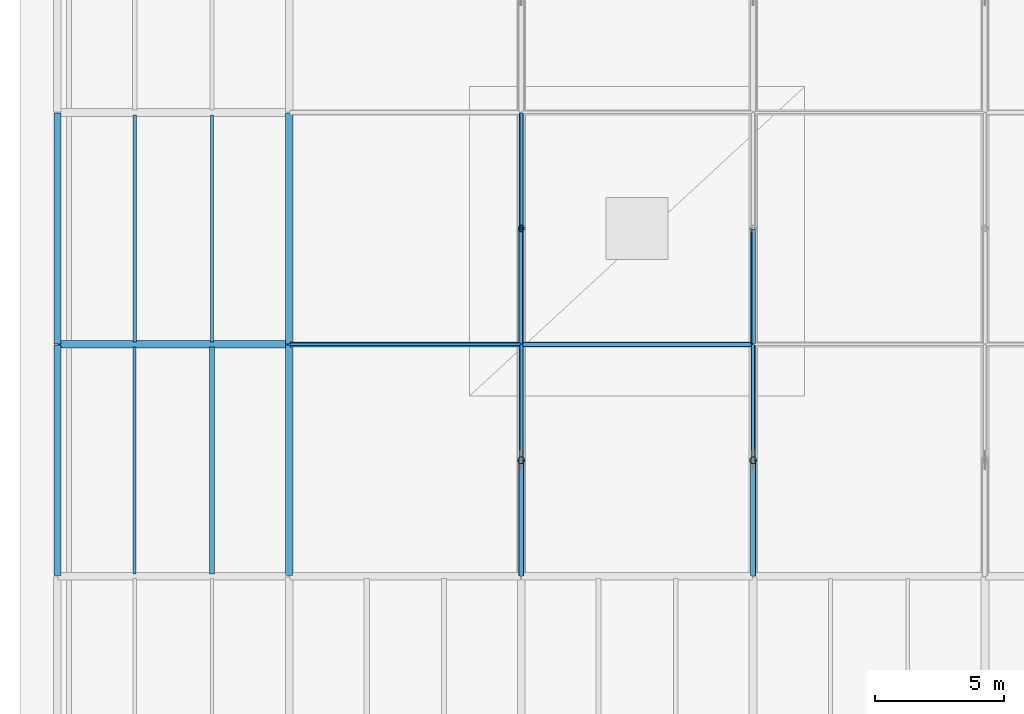
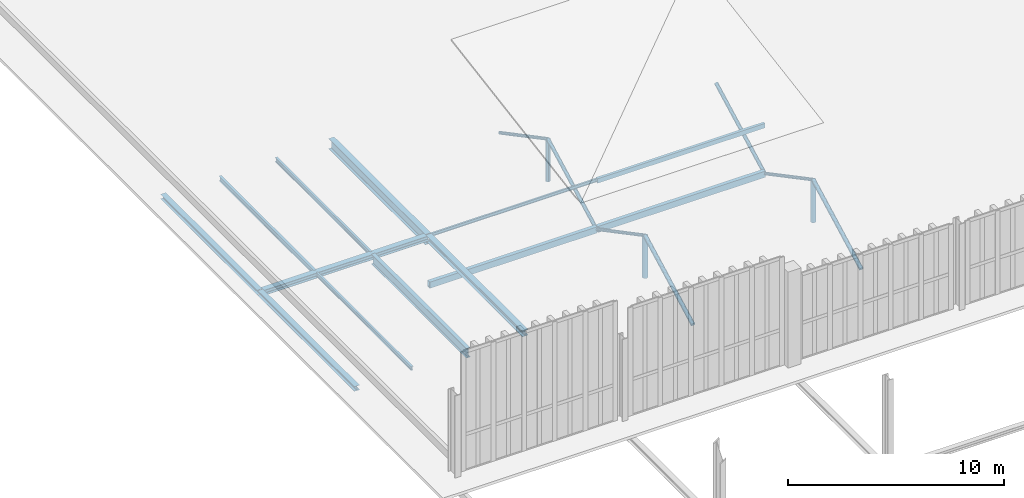
# One storey, part 47 of 196: 14 members, 9 beams.
"""IFC4 building model written with IfcOpenShell, lengths in metres."""

from ifc_helpers import new_model, si_unit, direction, frame, origin, origin_2d, place, context, subcontext, project, spatial, hollow_rectangle, hollow_circle, i_section, extrude, material, material_profile, profile_set, type_object, element, save


model = new_model("IFC4")

# Units and contexts
model_context = context("Model", 3, precision=1e-05, world=origin(), true_north=direction((0.0, 1.0)))
body_context = subcontext(model_context, "Body", "Model", "MODEL_VIEW")
ifc_project = project(units=[si_unit("LENGTHUNIT", "METRE"), si_unit("AREAUNIT", "SQUARE_METRE"), si_unit("VOLUMEUNIT", "CUBIC_METRE"), si_unit("PLANEANGLEUNIT", "RADIAN"), si_unit("MASSUNIT", "GRAM", prefix="KILO")], contexts=[model_context])

# Site, building, storey
site_placement = place(None, origin())
site = spatial("IfcSite", under=ifc_project, at=site_placement, CompositionType="ELEMENT")
building_placement = place(site_placement, origin())
building = spatial("IfcBuilding", under=site, at=building_placement, Name="Barlavento Convention Centre", CompositionType="ELEMENT")
storey_placement = place(building_placement, frame((0.0, 0.0, 18.0)))
storey = spatial("IfcBuildingStorey", under=building, at=storey_placement, Name="L03", CompositionType="ELEMENT", Elevation=18.0)

# Beams
ifc_material = material(Name="Steel S355", Category="steel")
ifc_material_profile_1 = material_profile(ifc_material, i_section(OverallWidth=0.110107421875, OverallDepth=0.219970703125, WebThickness=0.005859375, FlangeThickness=0.00927734375, FilletRadius=0.011962890625, at=origin_2d()), Name="IPE 220")
ifc_profile_set_1 = profile_set([ifc_material_profile_1], Name="Steel S355")
beam_type_1 = type_object("IfcBeamType", Name="STR-BM-JST-IPE220", PredefinedType="JOIST", material=ifc_profile_set_1)
beam_1_placement = place(storey_placement, frame((3.0, 63.094970703125, -0.455078125), z_axis=(0.0, 1.0, 0.0), x_axis=(-1.0, 0.0, 0.0)))
element("IfcBeam", 1, at=beam_1_placement, inside=storey, type_object=beam_type_1, Name="L03 composite floor joist SJ10", PredefinedType="JOIST", context=body_context, shape_type="SweptSolid", body=[
    extrude(i_section(OverallWidth=0.110107421875, OverallDepth=0.219970703125, WebThickness=0.005859375, FlangeThickness=0.00927734375, FilletRadius=0.011962890625, at=origin_2d()), origin(), (0.0, 0.0, 1.0), 8.81005859375),
])
ifc_material_profile_2 = material_profile(ifc_material, i_section(OverallWidth=0.1201171875, OverallDepth=0.239990234375, WebThickness=0.006103515625, FlangeThickness=0.009765625, FilletRadius=0.014892578125, at=origin_2d()), Name="IPE 240")
ifc_profile_set_2 = profile_set([ifc_material_profile_2], Name="Steel S355")
beam_type_2 = type_object("IfcBeamType", Name="STR-BM-JST-IPE240", PredefinedType="JOIST", material=ifc_profile_set_2)
beam_2_placement = place(storey_placement, frame((6.0, 72.094970703125, -0.465087890625), z_axis=(0.0, 1.0, 0.0), x_axis=(-1.0, 0.0, 0.0)))
element("IfcBeam", 2, at=beam_2_placement, inside=storey, type_object=beam_type_2, Name="L03 composite floor joist SJ09", PredefinedType="JOIST", context=body_context, shape_type="SweptSolid", body=[
    extrude(i_section(OverallWidth=0.1201171875, OverallDepth=0.239990234375, WebThickness=0.006103515625, FlangeThickness=0.009765625, FilletRadius=0.014892578125, at=origin_2d()), origin(), (0.0, 0.0, 1.0), 8.81005859375),
])
ifc_material_profile_3 = material_profile(ifc_material, i_section(OverallWidth=0.135009765625, OverallDepth=0.27001953125, WebThickness=0.006591796875, FlangeThickness=0.01025390625, FilletRadius=0.014892578125, at=origin_2d()), Name="IPE 270")
ifc_profile_set_3 = profile_set([ifc_material_profile_3], Name="Steel S355")
beam_type_3 = type_object("IfcBeamType", Name="STR-BM-JST-IPE270", PredefinedType="JOIST", material=ifc_profile_set_3)
beam_3_placement = place(storey_placement, frame((3.0, 72.094970703125, -0.47998046875), z_axis=(0.0, 1.0, 0.0), x_axis=(-1.0, 0.0, 0.0)))
element("IfcBeam", 3, at=beam_3_placement, inside=storey, type_object=beam_type_3, Name="L03 composite floor joist SJ08", PredefinedType="JOIST", context=body_context, shape_type="SweptSolid", body=[
    extrude(i_section(OverallWidth=0.135009765625, OverallDepth=0.27001953125, WebThickness=0.006591796875, FlangeThickness=0.01025390625, FilletRadius=0.014892578125, at=origin_2d()), origin(), (0.0, 0.0, 1.0), 8.81005859375),
])
ifc_material_profile_4 = material_profile(ifc_material, i_section(OverallWidth=0.2099609375, OverallDepth=0.550048828125, WebThickness=0.010986328125, FlangeThickness=0.01708984375, FilletRadius=0.02392578125, at=origin_2d()), Name="IPE 550")
ifc_profile_set_4 = profile_set([ifc_material_profile_4], Name="Steel S355")
beam_type_4 = type_object("IfcBeamType", Name="STR-BM-JST-IPE550", PredefinedType="JOIST", material=ifc_profile_set_4)
beam_4_placement = place(storey_placement, frame((6.0, 63.094970703125, -0.6201171875), z_axis=(0.0, 1.0, 0.0), x_axis=(-1.0, 0.0, 0.0)))
element("IfcBeam", 4, at=beam_4_placement, inside=storey, type_object=beam_type_4, Name="L03 composite floor joist SJ01", PredefinedType="JOIST", context=body_context, shape_type="SweptSolid", body=[
    extrude(i_section(OverallWidth=0.2099609375, OverallDepth=0.550048828125, WebThickness=0.010986328125, FlangeThickness=0.01708984375, FilletRadius=0.02392578125, at=origin_2d()), origin(), (0.0, 0.0, 1.0), 8.81005859375),
])
ifc_material_profile_5 = material_profile(ifc_material, i_section(OverallWidth=0.300048828125, OverallDepth=0.330078125, WebThickness=0.009521484375, FlangeThickness=0.0166015625, FilletRadius=0.027099609375, at=origin_2d()), Name="HEA 340")
ifc_profile_set_5 = profile_set([ifc_material_profile_5], Name="Steel S355")
beam_type_5 = type_object("IfcBeamType", Name="STR-BM-PRI-HEA340", PredefinedType="BEAM", material=ifc_profile_set_5)
beam_5_placement = place(storey_placement, frame((9.0, 63.02001953125, -0.510009765625), z_axis=(0.0, 1.0, 0.0), x_axis=(-1.0, 0.0, 0.0)))
element("IfcBeam", 5, at=beam_5_placement, inside=storey, type_object=beam_type_5, Name="L03 grid girder BG24", PredefinedType="BEAM", context=body_context, shape_type="SweptSolid", body=[
    extrude(i_section(OverallWidth=0.300048828125, OverallDepth=0.330078125, WebThickness=0.009521484375, FlangeThickness=0.0166015625, FilletRadius=0.027099609375, at=origin_2d()), origin(), (0.0, 0.0, 1.0), 8.9599609375),
])
ifc_material_profile_6 = material_profile(ifc_material, i_section(OverallWidth=0.300048828125, OverallDepth=0.590087890625, WebThickness=0.012939453125, FlangeThickness=0.02490234375, FilletRadius=0.027099609375, at=origin_2d()), Name="HEA 600")
ifc_profile_set_6 = profile_set([ifc_material_profile_6], Name="Steel S355")
beam_type_6 = type_object("IfcBeamType", Name="STR-BM-PRI-HEA600", PredefinedType="BEAM", material=ifc_profile_set_6)
beam_6_placement = place(storey_placement, frame((9.0, 72.02001953125, -0.639892578125), z_axis=(0.0, 1.0, 0.0), x_axis=(-1.0, 0.0, 0.0)))
element("IfcBeam", 6, at=beam_6_placement, inside=storey, type_object=beam_type_6, Name="L03 grid girder BG18", PredefinedType="BEAM", context=body_context, shape_type="SweptSolid", body=[
    extrude(i_section(OverallWidth=0.300048828125, OverallDepth=0.590087890625, WebThickness=0.012939453125, FlangeThickness=0.02490234375, FilletRadius=0.027099609375, at=origin_2d()), origin(), (0.0, 0.0, 1.0), 8.9599609375),
])
ifc_material_profile_7 = material_profile(ifc_material, i_section(OverallWidth=0.300048828125, OverallDepth=0.300048828125, WebThickness=0.010986328125, FlangeThickness=0.01904296875, FilletRadius=0.027099609375, at=origin_2d()), Name="HEB 300")
ifc_profile_set_7 = profile_set([ifc_material_profile_7], Name="Steel S355")
beam_type_7 = type_object("IfcBeamType", Name="STR-BM-PRI-HEB300", PredefinedType="BEAM", material=ifc_profile_set_7)
beam_7_placement = place(storey_placement, frame((0.02001953125, 72.0, -0.4951171875), z_axis=(1.0, 0.0, 0.0), x_axis=(0.0, 1.0, 0.0)))
element("IfcBeam", 7, at=beam_7_placement, inside=storey, type_object=beam_type_7, Name="L03 primary girder BG14", PredefinedType="BEAM", context=body_context, shape_type="SweptSolid", body=[
    extrude(i_section(OverallWidth=0.300048828125, OverallDepth=0.300048828125, WebThickness=0.010986328125, FlangeThickness=0.01904296875, FilletRadius=0.027099609375, at=origin_2d()), origin(), (0.0, 0.0, 1.0), 8.9599609375),
])
ifc_material_profile_8 = material_profile(ifc_material, i_section(OverallWidth=0.280029296875, OverallDepth=0.27001953125, WebThickness=0.008056640625, FlangeThickness=0.012939453125, FilletRadius=0.02392578125, at=origin_2d()), Name="HEA 280")
ifc_profile_set_8 = profile_set([ifc_material_profile_8], Name="Steel S355")
beam_type_8 = type_object("IfcBeamType", Name="STR-BM-SPN-HEA280", PredefinedType="SPANDREL", material=ifc_profile_set_8)
for number, where, z_axis, x_axis, name in (
    (8, (0.0, 63.02001953125, -0.47998046875), (0.0, 1.0, 0.0), (-1.0, 0.0, 0.0), "L03 grid girder SP03"),
    (9, (0.0, 72.02001953125, -0.47998046875), (0.0, 1.0, 0.0), (-1.0, 0.0, 0.0), "L03 grid girder SP03"),
):
    element("IfcBeam", number, at=place(storey_placement, frame(where, z_axis=z_axis, x_axis=x_axis)), inside=storey, type_object=beam_type_8, Name=name, PredefinedType="SPANDREL", context=body_context, shape_type="SweptSolid", body=[
        extrude(i_section(OverallWidth=0.280029296875, OverallDepth=0.27001953125, WebThickness=0.008056640625, FlangeThickness=0.012939453125, FilletRadius=0.02392578125, at=origin_2d()), origin(), (0.0, 0.0, 1.0), 8.9599609375),
    ])

# Members
ifc_material_profile_9 = material_profile(ifc_material, hollow_rectangle(XDim=0.199951171875, YDim=0.35009765625, WallThickness=0.012451171875, at=origin_2d()), Name="RHS 350x200x12.5")
ifc_profile_set_9 = profile_set([ifc_material_profile_9], Name="Steel S355")
member_type_1 = type_object("IfcMemberType", Name="STR-MEM-COL-RHS350", PredefinedType="COLLAR", material=ifc_profile_set_9)
for number, where, z_axis, x_axis, name in (
    (10, (9.02001953125, 72.0, -3.199951171875), (1.0, 0.0, 0.0), (0.0, 1.0, 0.0), "Exhibition space frame transverse chord"),
    (11, (18.02001953125, 72.0, -3.199951171875), (1.0, 0.0, 0.0), (0.0, 1.0, 0.0), "Exhibition space frame transverse chord"),
):
    element("IfcMember", number, at=place(storey_placement, frame(where, z_axis=z_axis, x_axis=x_axis)), inside=storey, type_object=member_type_1, Name=name, PredefinedType="COLLAR", context=body_context, shape_type="SweptSolid", body=[
        extrude(hollow_rectangle(XDim=0.199951171875, YDim=0.35009765625, WallThickness=0.012451171875, at=origin_2d()), origin(), (0.0, 0.0, 1.0), 8.9599609375),
    ])
ifc_material_profile_10 = material_profile(ifc_material, hollow_circle(Radius=0.084228515625, WallThickness=0.010009765625, at=origin_2d()), Name="CHS 168.3x10.0")
ifc_profile_set_10 = profile_set([ifc_material_profile_10], Name="Steel S355")
member_type_2 = type_object("IfcMemberType", Name="STR-MEM-DIAG-CHS168", PredefinedType="POST", material=ifc_profile_set_10)
for number, where, z_axis, x_axis, name in (
    (12, (18.0, 67.5, -0.84912109375), (0.0, 0.884200566707, -0.467107437144), (-1.0, 0.0, 0.0), "Exhibition space frame web diagonal"),
    (13, (18.0, 76.5, -0.84912109375), (0.0, 0.884200566707, -0.467107437144), (-1.0, 0.0, 0.0), "Exhibition space frame web diagonal"),
):
    element("IfcMember", number, at=place(storey_placement, frame(where, z_axis=z_axis, x_axis=x_axis)), inside=storey, type_object=member_type_2, Name=name, PredefinedType="POST", context=body_context, shape_type="SweptSolid", body=[
        extrude(hollow_circle(Radius=0.084228515625, WallThickness=0.010009765625, at=origin_2d()), origin(), (0.0, 0.0, 1.0), 5.03271484375),
    ])
member_1_placement = place(storey_placement, frame((27.0, 67.5, -0.844970703125), z_axis=(0.0, 0.883859857229, -0.467751806816), x_axis=(-1.0, 0.0, 0.0)))
element("IfcMember", 14, at=member_1_placement, inside=storey, type_object=member_type_2, Name="Exhibition space frame web diagonal", PredefinedType="POST", context=body_context, shape_type="SweptSolid", body=[
    extrude(hollow_circle(Radius=0.084228515625, WallThickness=0.010009765625, at=origin_2d()), origin(), (0.0, 0.0, 1.0), 5.03466796875),
])
ifc_material_profile_11 = material_profile(ifc_material, hollow_circle(Radius=0.096923828125, WallThickness=0.010009765625, at=origin_2d()), Name="CHS 193.7x10.0")
ifc_profile_set_11 = profile_set([ifc_material_profile_11], Name="Steel S355")
member_type_3 = type_object("IfcMemberType", Name="STR-MEM-DIAG-CHS193", PredefinedType="RAFTER", material=ifc_profile_set_11)
member_2_placement = place(storey_placement, frame((18.0, 72.050048828125, -3.199951171875), z_axis=(0.0, 0.884200566707, 0.467107437144), x_axis=(-1.0, 0.0, 0.0)))
element("IfcMember", 15, at=member_2_placement, inside=storey, type_object=member_type_3, Name="Exhibition space frame web diagonal", PredefinedType="RAFTER", context=body_context, shape_type="SweptSolid", body=[
    extrude(hollow_circle(Radius=0.096923828125, WallThickness=0.010009765625, at=origin_2d()), origin(), (0.0, 0.0, 1.0), 5.03271484375),
])
member_3_placement = place(storey_placement, frame((27.0, 72.050048828125, -3.199951171875), z_axis=(0.0, 0.883859857229, 0.467751806816), x_axis=(-1.0, 0.0, 0.0)))
element("IfcMember", 16, at=member_3_placement, inside=storey, type_object=member_type_3, Name="Exhibition space frame web diagonal", PredefinedType="RAFTER", context=body_context, shape_type="SweptSolid", body=[
    extrude(hollow_circle(Radius=0.096923828125, WallThickness=0.010009765625, at=origin_2d()), origin(), (0.0, 0.0, 1.0), 5.03466796875),
])
ifc_material_profile_12 = material_profile(ifc_material, hollow_circle(Radius=0.109619140625, WallThickness=0.012451171875, at=origin_2d()), Name="CHS 219.1x12.5")
ifc_profile_set_12 = profile_set([ifc_material_profile_12], Name="Steel S355")
member_type_4 = type_object("IfcMemberType", Name="STR-MEM-DIAG-CHS219", PredefinedType="RAFTER", material=ifc_profile_set_12)
member_4_placement = place(storey_placement, frame((18.0, 63.050048828125, -3.199951171875), z_axis=(0.0, 0.884200566707, 0.467107437144), x_axis=(-1.0, 0.0, 0.0)))
element("IfcMember", 17, at=member_4_placement, inside=storey, type_object=member_type_4, Name="Exhibition space frame web diagonal", PredefinedType="RAFTER", context=body_context, shape_type="SweptSolid", body=[
    extrude(hollow_circle(Radius=0.109619140625, WallThickness=0.012451171875, at=origin_2d()), origin(), (0.0, 0.0, 1.0), 5.03271484375),
])
member_5_placement = place(storey_placement, frame((27.0, 63.050048828125, -3.199951171875), z_axis=(0.0, 0.883859857229, 0.467751806816), x_axis=(-1.0, 0.0, 0.0)))
element("IfcMember", 18, at=member_5_placement, inside=storey, type_object=member_type_4, Name="Exhibition space frame web diagonal", PredefinedType="RAFTER", context=body_context, shape_type="SweptSolid", body=[
    extrude(hollow_circle(Radius=0.109619140625, WallThickness=0.012451171875, at=origin_2d()), origin(), (0.0, 0.0, 1.0), 5.03466796875),
])
ifc_material_profile_13 = material_profile(ifc_material, i_section(OverallWidth=0.091064453125, OverallDepth=0.179931640625, WebThickness=0.00537109375, FlangeThickness=0.008056640625, FilletRadius=0.009033203125, at=origin_2d()), Name="IPE 180")
ifc_profile_set_13 = profile_set([ifc_material_profile_13], Name="Steel S355")
member_type_5 = type_object("IfcMemberType", Name="STR-MEM-PUR-IPE180", PredefinedType="PURLIN", material=ifc_profile_set_13)
member_6_placement = place(storey_placement, frame((9.02001953125, 72.0, -0.43505859375), z_axis=(1.0, 0.0, 0.0), x_axis=(0.0, 1.0, 0.0)))
element("IfcMember", 19, at=member_6_placement, inside=storey, type_object=member_type_5, Name="Exhibition roof purlin", PredefinedType="PURLIN", context=body_context, shape_type="SweptSolid", body=[
    extrude(i_section(OverallWidth=0.091064453125, OverallDepth=0.179931640625, WebThickness=0.00537109375, FlangeThickness=0.008056640625, FilletRadius=0.009033203125, at=origin_2d()), origin(), (0.0, 0.0, 1.0), 8.9599609375),
])
ifc_material_profile_14 = material_profile(ifc_material, hollow_rectangle(XDim=0.14990234375, YDim=0.25, WallThickness=0.010009765625, at=origin_2d()), Name="RHS 250x150x10.0")
ifc_profile_set_14 = profile_set([ifc_material_profile_14], Name="Steel S355")
member_type_6 = type_object("IfcMemberType", Name="STR-MEM-PUR-RHS250", PredefinedType="PURLIN", material=ifc_profile_set_14)
member_7_placement = place(storey_placement, frame((18.02001953125, 72.0, -0.469970703125), z_axis=(1.0, 0.0, 0.0), x_axis=(0.0, 1.0, 0.0)))
element("IfcMember", 20, at=member_7_placement, inside=storey, type_object=member_type_6, Name="Exhibition roof purlin", PredefinedType="PURLIN", context=body_context, shape_type="SweptSolid", body=[
    extrude(hollow_rectangle(XDim=0.14990234375, YDim=0.25, WallThickness=0.010009765625, at=origin_2d()), origin(), (0.0, 0.0, 1.0), 8.9599609375),
])
ifc_material_profile_15 = material_profile(ifc_material, hollow_circle(Radius=0.122314453125, WallThickness=0.012451171875, at=origin_2d()), Name="CHS 244.5x12.5")
ifc_profile_set_15 = profile_set([ifc_material_profile_15], Name="Steel S355")
member_type_7 = type_object("IfcMemberType", Name="STR-MEM-STRUT-CHS244", PredefinedType="STRUT", material=ifc_profile_set_15)
member_8_placement = place(storey_placement, frame((18.0, 76.5, -3.199951171875), z_axis=(0.0, 0.0, 1.0), x_axis=(1.0, 0.0, 0.0)))
element("IfcMember", 21, at=member_8_placement, inside=storey, type_object=member_type_7, Name="Exhibition space frame vertical strut", PredefinedType="STRUT", context=body_context, shape_type="SweptSolid", body=[
    extrude(hollow_circle(Radius=0.122314453125, WallThickness=0.012451171875, at=origin_2d()), origin(), (0.0, 0.0, 1.0), 2.350830078125),
])
ifc_material_profile_16 = material_profile(ifc_material, hollow_circle(Radius=0.136474609375, WallThickness=0.012451171875, at=origin_2d()), Name="CHS 273.0x12.5")
ifc_profile_set_16 = profile_set([ifc_material_profile_16], Name="Steel S355")
member_type_8 = type_object("IfcMemberType", Name="STR-MEM-STRUT-CHS273", PredefinedType="STRUT", material=ifc_profile_set_16)
member_9_placement = place(storey_placement, frame((18.0, 67.5, -3.199951171875), z_axis=(0.0, 0.0, 1.0), x_axis=(1.0, 0.0, 0.0)))
element("IfcMember", 22, at=member_9_placement, inside=storey, type_object=member_type_8, Name="Exhibition space frame vertical strut", PredefinedType="STRUT", context=body_context, shape_type="SweptSolid", body=[
    extrude(hollow_circle(Radius=0.136474609375, WallThickness=0.012451171875, at=origin_2d()), origin(), (0.0, 0.0, 1.0), 2.350830078125),
])
member_10_placement = place(storey_placement, frame((27.0, 67.5, -3.199951171875), z_axis=(0.0, 0.0, 1.0), x_axis=(1.0, 0.0, 0.0)))
element("IfcMember", 23, at=member_10_placement, inside=storey, type_object=member_type_8, Name="Exhibition space frame vertical strut", PredefinedType="STRUT", context=body_context, shape_type="SweptSolid", body=[
    extrude(hollow_circle(Radius=0.136474609375, WallThickness=0.012451171875, at=origin_2d()), origin(), (0.0, 0.0, 1.0), 2.35498046875),
])

save(model, "model.ifc")
